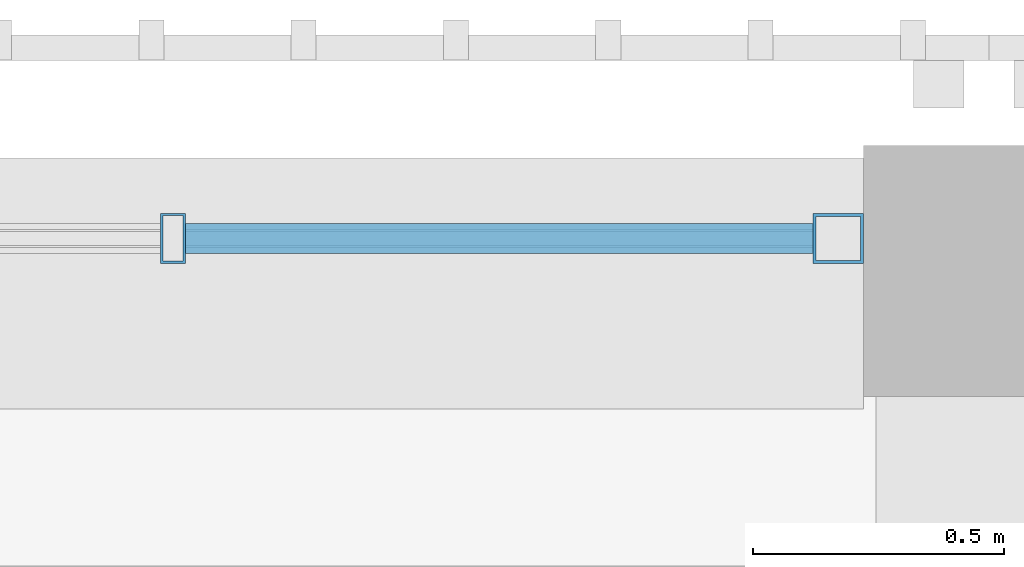
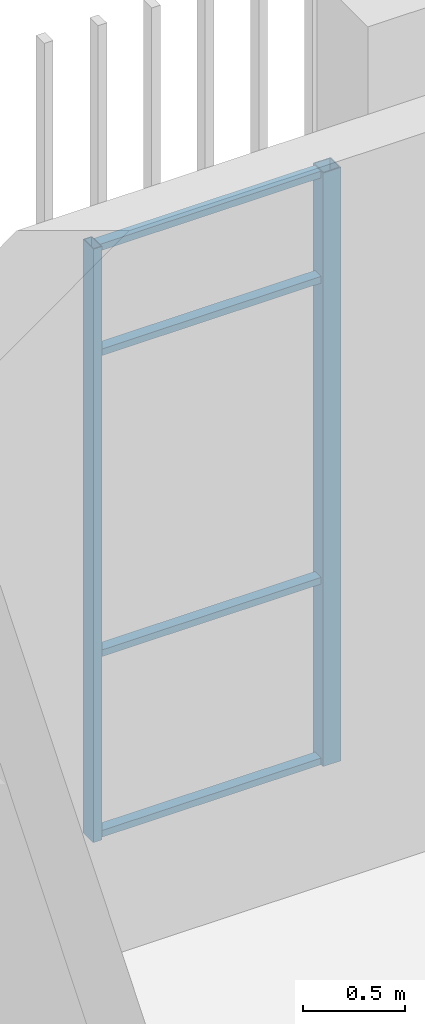
# One storey, part 36 of 139: 6 members, 1 element without a shape of its own.
"""IFC4 building model written with IfcOpenShell, lengths in metres."""

from ifc_helpers import new_model, si_unit, direction, frame, origin, origin_2d, place, context, subcontext, project, spatial, hollow_rectangle, extrude, material, layer, layer_set, material_profile, profile_set, type_object, element, aggregate, save


model = new_model("IFC4")

# Units and contexts
model_context = context("Model", 3, precision=1e-05, world=origin(), true_north=direction((0.0, 1.0)))
body_context = subcontext(model_context, "Body", "Model", "MODEL_VIEW")
ifc_project = project(units=[si_unit("LENGTHUNIT", "METRE"), si_unit("AREAUNIT", "SQUARE_METRE"), si_unit("VOLUMEUNIT", "CUBIC_METRE"), si_unit("PLANEANGLEUNIT", "RADIAN"), si_unit("MASSUNIT", "GRAM", prefix="KILO")], contexts=[model_context])

# Site, building, storey
site_placement = place(None, origin())
site = spatial("IfcSite", under=ifc_project, at=site_placement, CompositionType="ELEMENT")
building_placement = place(site_placement, origin())
building = spatial("IfcBuilding", under=site, at=building_placement, Name="Shirokan Park Arena", CompositionType="ELEMENT")
storey_placement = place(building_placement, frame((0.0, 0.0, 15.469970703125)))
storey = spatial("IfcBuildingStorey", under=building, at=storey_placement, Name="L03", CompositionType="ELEMENT", Elevation=15.469970703125)

# Curtain wall, members
ifc_material_1 = material(Name="Steel and glass curtain wall", Category="steel")
ifc_layer = layer(ifc_material_1, 0.1201171875)
ifc_layer_set = layer_set([ifc_layer], Name="Steel and glass curtain wall 120 mm")
curtain_wall_type = type_object("IfcCurtainWallType", Name="Curtain wall corner block side bay 120", PredefinedType="NOTDEFINED", material=ifc_layer_set)
curtain_wall_placement = place(storey_placement, origin())
curtain_wall = element("IfcCurtainWall", 1, at=curtain_wall_placement, inside=storey, type_object=curtain_wall_type, Name="Curtain wall north bay 14 L03", PredefinedType="NOTDEFINED")
ifc_material_2 = material(Name="Steel S355", Category="steel")
ifc_material_profile_1 = material_profile(ifc_material_2, hollow_rectangle(XDim=0.10009765625, YDim=0.10009765625, WallThickness=0.006103515625, at=origin_2d()), Name="RHS 100x100x6")
ifc_profile_set_1 = profile_set([ifc_material_profile_1], Name="Steel S355")
member_type_1 = type_object("IfcMemberType", Name="Mullion RHS 100x100x6", PredefinedType="MULLION", material=ifc_profile_set_1)
member_1_placement = place(storey_placement, frame((27.0, 109.2900390625, 0.0), z_axis=(0.0, 0.0, 1.0), x_axis=(0.0, -1.0, 0.0)))
member_1 = element("IfcMember", 2, at=member_1_placement, type_object=member_type_1, Name="CW3 mullion 1", PredefinedType="MULLION", context=body_context, shape_type="SweptSolid", body=[
    extrude(hollow_rectangle(XDim=0.10009765625, YDim=0.10009765625, WallThickness=0.006103515625, at=origin_2d()), origin(), (0.0, 0.0, 1.0), 3.550048828125),
])
ifc_material_profile_2 = material_profile(ifc_material_2, hollow_rectangle(XDim=0.10009765625, YDim=0.050048828125, WallThickness=0.0048828125, at=origin_2d()), Name="RHS 100x50x5")
ifc_profile_set_2 = profile_set([ifc_material_profile_2], Name="Steel S355")
member_type_2 = type_object("IfcMemberType", Name="Mullion RHS 100x50x5", PredefinedType="MULLION", material=ifc_profile_set_2)
member_2_placement = place(storey_placement, frame((25.675048828125, 109.2900390625, 0.0), z_axis=(0.0, 0.0, 1.0), x_axis=(0.0, -1.0, 0.0)))
member_2 = element("IfcMember", 3, at=member_2_placement, type_object=member_type_2, Name="CW3 mullion 2", PredefinedType="MULLION", context=body_context, shape_type="SweptSolid", body=[
    extrude(hollow_rectangle(XDim=0.10009765625, YDim=0.050048828125, WallThickness=0.0048828125, at=origin_2d()), origin(), (0.0, 0.0, 1.0), 3.550048828125),
])
ifc_material_profile_3 = material_profile(ifc_material_2, hollow_rectangle(XDim=0.06005859375, YDim=0.0400390625, WallThickness=0.00390625, at=origin_2d()), Name="RHS 60x40x4")
ifc_profile_set_3 = profile_set([ifc_material_profile_3], Name="Steel S355")
member_type_3 = type_object("IfcMemberType", Name="Transom RHS 60x40x4", PredefinedType="MULLION", material=ifc_profile_set_3)
member_3_placement = place(storey_placement, frame((26.949951171875, 109.2900390625, 0.02001953125), z_axis=(-1.0, 0.0, 0.0), x_axis=(0.0, -1.0, 0.0)))
member_3 = element("IfcMember", 4, at=member_3_placement, type_object=member_type_3, Name="CW3 transom 1.1", PredefinedType="MULLION", context=body_context, shape_type="SweptSolid", body=[
    extrude(hollow_rectangle(XDim=0.06005859375, YDim=0.0400390625, WallThickness=0.00390625, at=origin_2d()), origin(), (0.0, 0.0, 1.0), 1.25),
])
member_4_placement = place(storey_placement, frame((26.949951171875, 109.2900390625, 1.10009765625), z_axis=(-1.0, 0.0, 0.0), x_axis=(0.0, -1.0, 0.0)))
member_4 = element("IfcMember", 5, at=member_4_placement, type_object=member_type_3, Name="CW3 transom 1.2", PredefinedType="MULLION", context=body_context, shape_type="SweptSolid", body=[
    extrude(hollow_rectangle(XDim=0.06005859375, YDim=0.0400390625, WallThickness=0.00390625, at=origin_2d()), origin(), (0.0, 0.0, 1.0), 1.25),
])
member_5_placement = place(storey_placement, frame((26.949951171875, 109.2900390625, 2.900146484375), z_axis=(-1.0, 0.0, 0.0), x_axis=(0.0, -1.0, 0.0)))
member_5 = element("IfcMember", 6, at=member_5_placement, type_object=member_type_3, Name="CW3 transom 1.3", PredefinedType="MULLION", context=body_context, shape_type="SweptSolid", body=[
    extrude(hollow_rectangle(XDim=0.06005859375, YDim=0.0400390625, WallThickness=0.00390625, at=origin_2d()), origin(), (0.0, 0.0, 1.0), 1.25),
])
member_6_placement = place(storey_placement, frame((26.949951171875, 109.2900390625, 3.530029296875), z_axis=(-1.0, 0.0, 0.0), x_axis=(0.0, -1.0, 0.0)))
member_6 = element("IfcMember", 7, at=member_6_placement, type_object=member_type_3, Name="CW3 transom 1.4", PredefinedType="MULLION", context=body_context, shape_type="SweptSolid", body=[
    extrude(hollow_rectangle(XDim=0.06005859375, YDim=0.0400390625, WallThickness=0.00390625, at=origin_2d()), origin(), (0.0, 0.0, 1.0), 1.25),
])
aggregate(curtain_wall, [member_1, member_2, member_3, member_4, member_5, member_6])

save(model, "model.ifc")
